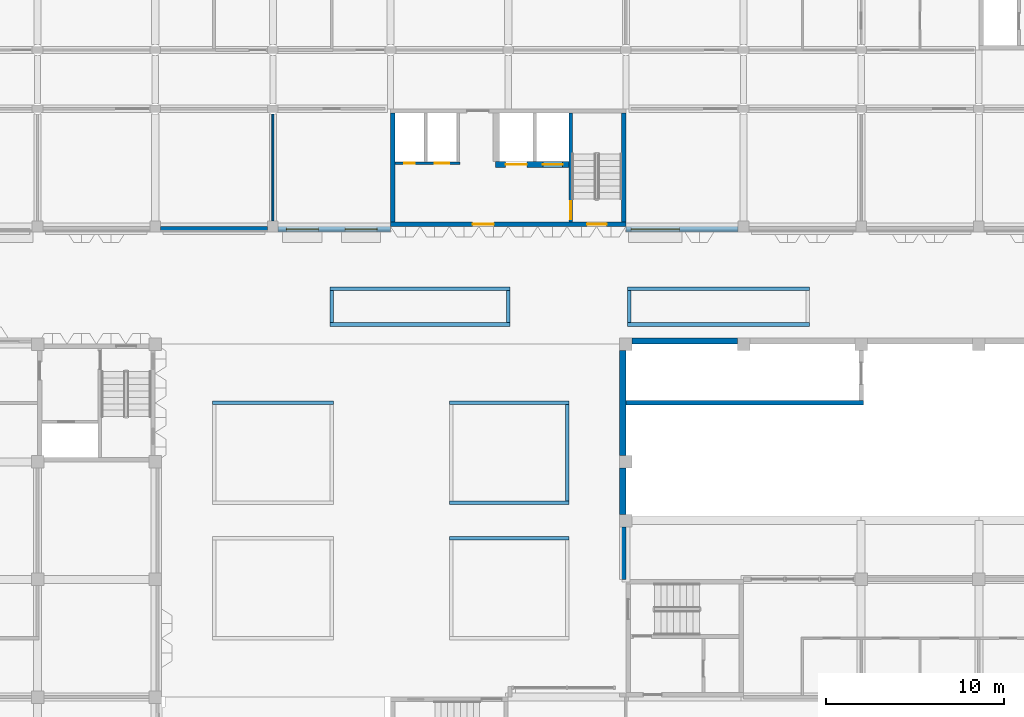
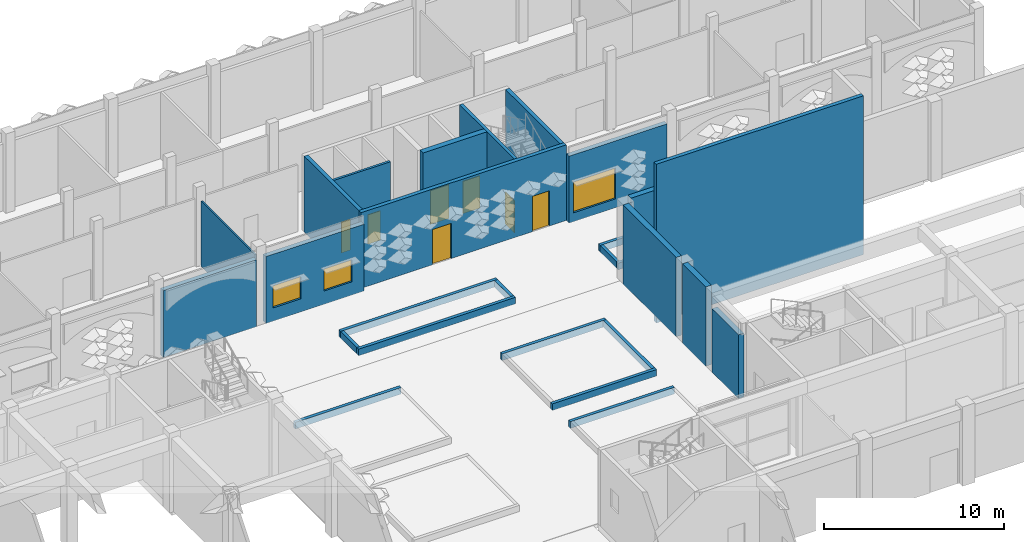
# One storey, part 37 of 85: 27 walls, 7 doors, 3 windows, 10 openings.
"""IFC4 building model written with IfcOpenShell, lengths in metres."""

import ifcopenshell
import ifcopenshell.guid

model = None  # the IFC model being written
_history = None  # IfcOwnerHistory: only IFC2X3 demands one
_inside = {}  # id of a spatial element -> (the spatial element, [elements in it])
_under = {}  # id of a project, library or spatial element -> (it, [spatial elements below it])
_declared = {}  # id of a project -> (the project, [libraries it declares])
_typed = {}  # id of a type object -> (the type object, [elements of that type])
_made_of = {}  # id of a material, layer set ... -> (it, [elements and type objects made of it])


def new_model(schema):
    """Start an empty IFC model of exactly this schema.

    Asked for "IFC4X3", IfcOpenShell would pick the latest addendum, in which some entities
    have other attributes; the version numbers below select the first issue.
    IFC2X3 requires an IfcOwnerHistory on every rooted entity: one is made here for all.
    """
    global model, _history
    if schema == "IFC4X3":
        model = ifcopenshell.file(schema_version=(4, 3, 0, 0))
    else:
        model = ifcopenshell.file(schema=schema)
    _inside.clear()
    _under.clear()
    _declared.clear()
    _typed.clear()
    _made_of.clear()
    _history = None
    if model.schema == "IFC2X3":
        org = make("IfcOrganization", Name="unknown")
        user = make(
            "IfcPersonAndOrganization",
            ThePerson=make("IfcPerson", FamilyName="unknown"),
            TheOrganization=org,
        )
        app = make(
            "IfcApplication",
            ApplicationDeveloper=org,
            Version="unknown",
            ApplicationFullName="unknown",
            ApplicationIdentifier="unknown",
        )
        _history = make(
            "IfcOwnerHistory",
            OwningUser=user,
            OwningApplication=app,
            ChangeAction="ADDED",
            CreationDate=0,
        )
    return model


def make(cls, **values):
    """One entity of the class cls with the attributes given. An attribute that is None is left unset."""
    return model.create_entity(
        cls, **{name: value for name, value in values.items() if value is not None}
    )


def rooted(cls, **values):
    """An entity with a GlobalId (a new one), such as an element, a storey or a relation."""
    return make(cls, GlobalId=ifcopenshell.guid.new(), OwnerHistory=_history, **values)


def si_unit(unit_type, name, prefix=None):
    """IfcSIUnit, for example si_unit("LENGTHUNIT", "METRE", prefix="MILLI")."""
    return make("IfcSIUnit", UnitType=unit_type, Prefix=prefix, Name=name)


def assignment(units):
    """IfcUnitAssignment: the units of a project."""
    return None if units is None else make("IfcUnitAssignment", Units=units)


def point(xyz):
    """IfcCartesianPoint."""
    return None if xyz is None else make("IfcCartesianPoint", Coordinates=xyz)


def direction(xyz):
    """IfcDirection."""
    return None if xyz is None else make("IfcDirection", DirectionRatios=xyz)


def frame(location, z_axis=None, x_axis=None):
    """IfcAxis2Placement3D, a coordinate frame: its origin and axes. An axis left out is left unset."""
    return make(
        "IfcAxis2Placement3D",
        Location=point(location),
        Axis=direction(z_axis),
        RefDirection=direction(x_axis),
    )


def frame_2d(location, x_axis=None):
    """IfcAxis2Placement2D, a coordinate frame in the plane: its origin and x axis."""
    return make(
        "IfcAxis2Placement2D", Location=point(location), RefDirection=direction(x_axis)
    )


def origin():
    """The frame at (0, 0, 0) with its axes left unset."""
    return frame((0.0, 0.0, 0.0))


def place(relative_to, where):
    """IfcLocalPlacement: puts the frame where relative to a parent placement (None: the world)."""
    return make(
        "IfcLocalPlacement", PlacementRelTo=relative_to, RelativePlacement=where
    )


def context(
    kind, dimensions, precision=None, world=None, true_north=None, identifier=None
):
    """IfcGeometricRepresentationContext, for example the 3D "Model" context."""
    return make(
        "IfcGeometricRepresentationContext",
        ContextIdentifier=identifier,
        ContextType=kind,
        CoordinateSpaceDimension=dimensions,
        Precision=precision,
        WorldCoordinateSystem=world,
        TrueNorth=true_north,
    )


def subcontext(parent, identifier, kind, view, scale=None):
    """IfcGeometricRepresentationSubContext, for example "Body" below "Model"."""
    return make(
        "IfcGeometricRepresentationSubContext",
        ContextIdentifier=identifier,
        ContextType=kind,
        ParentContext=parent,
        TargetScale=scale,
        TargetView=view,
    )


def project(units=None, contexts=None):
    """IfcProject with its units and contexts."""
    return rooted(
        "IfcProject",
        Name="project",
        RepresentationContexts=contexts,
        UnitsInContext=assignment(units),
    )


def spatial(cls, under=None, at=None, **own):
    """A site, building, storey or space (cls), placed at a placement, below another one or the project."""
    s = rooted(cls, ObjectPlacement=at, **own)
    if under is not None:
        _under.setdefault(under.id(), (under, []))[1].append(s)
    return s


def profile(cls, at=None, kind="AREA", **sizes):
    """A parametric profile (cls). Its sizes go by their IFC names, for example OverallWidth=200.0."""
    return make(cls, ProfileType=kind, Position=at, **sizes)


def rectangle(**sizes):
    """IfcRectangleProfileDef."""
    return profile("IfcRectangleProfileDef", **sizes)


def extrude(swept, where, along, depth):
    """IfcExtrudedAreaSolid: the profile swept, set in the frame where, extruded along a direction by depth."""
    return make(
        "IfcExtrudedAreaSolid",
        SweptArea=swept,
        Position=where,
        ExtrudedDirection=direction(along),
        Depth=depth,
    )


def shape(context_of_items, identifier, shape_type, items):
    """IfcShapeRepresentation: the items that make up one representation, for example the "Body"."""
    return make(
        "IfcShapeRepresentation",
        ContextOfItems=context_of_items,
        RepresentationIdentifier=identifier,
        RepresentationType=shape_type,
        Items=items,
    )


def material(Name=None, Category=None):
    """IfcMaterial."""
    return make("IfcMaterial", Name=Name, Category=Category)


def layer(
    of_material, thickness, ventilated=None, Name=None, Category=None, Priority=None
):
    """IfcMaterialLayer: one layer of a wall or slab, of a material (None: an air gap)."""
    return make(
        "IfcMaterialLayer",
        Material=of_material,
        LayerThickness=thickness,
        IsVentilated=ventilated,
        Name=Name,
        Category=Category,
        Priority=Priority,
    )


def layer_set(layers, Name=None):
    """IfcMaterialLayerSet."""
    return make("IfcMaterialLayerSet", MaterialLayers=layers, LayerSetName=Name)


def made_of(thing, what):
    """Note that an element or type object is made of a material, layer set ...; save() writes the relation."""
    if what is not None:
        _made_of.setdefault(what.id(), (what, []))[1].append(thing)
    return thing


def type_object(cls, material=None, **own):
    """A type object (cls), such as IfcWallType, which elements share."""
    return made_of(rooted(cls, **own), material)


def element(
    cls,
    number,
    at=None,
    inside=None,
    cuts=None,
    type_object=None,
    material=None,
    context=None,
    identifier="Body",
    shape_type=None,
    held_by="IfcProductDefinitionShape",
    body=None,
    shapes=None,
    **own,
):
    """One element of the class cls, such as IfcWall. Its Tag is "e" and its number.

    at: its placement. inside: the storey or other place that contains it. cuts: it is an
    opening in that element (IfcRelVoidsElement). A single representation is given by context,
    identifier, shape_type and body (its items); several are given by shapes. held_by: the class
    of the entity that holds the representations. save() writes the other relations.
    """
    e = rooted(cls, Tag="e%d" % number, ObjectPlacement=at, **own)
    if body is not None:
        shapes = [shape(context, identifier, shape_type, body)]
    if shapes is not None:
        e.Representation = make(held_by, Representations=shapes)
    if inside is not None:
        _inside.setdefault(inside.id(), (inside, []))[1].append(e)
    if cuts is not None:
        rooted(
            "IfcRelVoidsElement", RelatingBuildingElement=cuts, RelatedOpeningElement=e
        )
    if type_object is not None:
        _typed.setdefault(type_object.id(), (type_object, []))[1].append(e)
    return made_of(e, material)


def fill(opening, filler):
    """IfcRelFillsElement: the door or window that sits in an opening."""
    return rooted(
        "IfcRelFillsElement",
        RelatingOpeningElement=opening,
        RelatedBuildingElement=filler,
    )


def aggregate(whole, parts):
    """IfcRelAggregates: a whole, such as a stair, and the parts it consists of."""
    return rooted("IfcRelAggregates", RelatingObject=whole, RelatedObjects=parts)


def save(model, path):
    """Write the relations noted so far, then the file.

    IfcRelAggregates (storeys below a building ...), IfcRelContainedInSpatialStructure (elements
    in a storey), IfcRelDefinesByType, IfcRelAssociatesMaterial and IfcRelDeclares: one each for
    every whole, place, type object, material and project.
    """
    for whole, parts in _under.values():
        aggregate(whole, parts)
    for where, things in _inside.values():
        rooted(
            "IfcRelContainedInSpatialStructure",
            RelatedElements=things,
            RelatingStructure=where,
        )
    for kind, things in _typed.values():
        rooted("IfcRelDefinesByType", RelatedObjects=things, RelatingType=kind)
    for what, things in _made_of.values():
        rooted("IfcRelAssociatesMaterial", RelatedObjects=things, RelatingMaterial=what)
    for by, libraries in _declared.values():
        rooted("IfcRelDeclares", RelatingContext=by, RelatedDefinitions=libraries)
    model.write(path)


model = new_model("IFC4")

# Units and contexts
model_context = context("Model", 3, precision=1e-05, world=origin(), true_north=direction((0.0, 1.0)))
body_context = subcontext(model_context, "Body", "Model", "MODEL_VIEW")
ifc_project = project(units=[si_unit("LENGTHUNIT", "METRE"), si_unit("AREAUNIT", "SQUARE_METRE"), si_unit("VOLUMEUNIT", "CUBIC_METRE"), si_unit("PLANEANGLEUNIT", "RADIAN"), si_unit("MASSUNIT", "GRAM", prefix="KILO")], contexts=[model_context])

# Site, building, storey
site_placement = place(None, origin())
site = spatial("IfcSite", under=ifc_project, at=site_placement, CompositionType="ELEMENT")
building_placement = place(site_placement, origin())
building = spatial("IfcBuilding", under=site, at=building_placement, Name="Lantern Court Research Institute", CompositionType="ELEMENT")
storey_placement = place(building_placement, origin())
storey = spatial("IfcBuildingStorey", under=building, at=storey_placement, Name="L00", CompositionType="ELEMENT", Elevation=0.0)

# Walls
ifc_material_1 = material(Name="Acoustic double-leaf gypsum board")
ifc_layer_1 = layer(ifc_material_1, 0.25)
ifc_layer_set_1 = layer_set([ifc_layer_1], Name="Acoustic double-leaf gypsum board")
wall_type_1 = type_object("IfcWallType", Name="Acoustic wall 250 mm EI 60", PredefinedType="PARTITIONING", material=ifc_layer_set_1)
wall_1_placement = place(storey_placement, frame((52.800048828125, 72.60009765625, -0.89990234375), z_axis=(0.0, 0.0, 1.0), x_axis=(1.0, 0.0, 0.0)))
element("IfcWall", 1, at=wall_1_placement, inside=storey, type_object=wall_type_1, Name="Wall V1-L00-008", PredefinedType="PARTITIONING", context=body_context, shape_type="SweptSolid", body=[
    extrude(rectangle(XDim=13.324951171875, YDim=0.25, at=frame_2d((6.66259765625, 0.0))), origin(), (0.0, 0.0, 1.0), 10.7998046875),
])
ifc_material_2 = material(Name="Concrete C30/37", Category="concrete")
ifc_layer_2 = layer(ifc_material_2, 0.300048828125)
ifc_layer_set_2 = layer_set([ifc_layer_2], Name="Concrete C30/37")
wall_type_2 = type_object("IfcWallType", Name="Insulated concrete infill wall 300", PredefinedType="STANDARD", material=ifc_layer_set_2)
wall_2_placement = place(storey_placement, frame((32.699951171875, 82.35009765625, 0.0), z_axis=(0.0, 0.0, 1.0), x_axis=(-1.0, 0.0, 0.0)))
element("IfcWall", 2, at=wall_2_placement, inside=storey, type_object=wall_type_2, Name="Exterior wall EW065", PredefinedType="STANDARD", context=body_context, shape_type="SweptSolid", body=[
    extrude(rectangle(XDim=6.0, YDim=0.300048828125, at=frame_2d((3.0, 0.0))), origin(), (0.0, 0.0, 1.0), 4.550048828125),
])

# Wall, openings, windows
wall_3_placement = place(storey_placement, frame((39.60009765625, 82.35009765625, 0.0), z_axis=(0.0, 0.0, 1.0), x_axis=(-1.0, 0.0, 0.0)))
wall_3 = element("IfcWall", 3, at=wall_3_placement, inside=storey, type_object=wall_type_2, Name="Exterior wall EW066", PredefinedType="STANDARD", context=body_context, shape_type="SweptSolid", body=[
    extrude(rectangle(XDim=6.300048828125, YDim=0.300048828125, at=frame_2d((3.14990234375, 0.0))), origin(), (0.0, 0.0, 1.0), 4.550048828125),
])
opening_1_placement = place(wall_3_placement, frame((4.050048828125, 0.0, 0.89990234375)))
opening_1 = element("IfcOpeningElement", 4, at=opening_1_placement, cuts=wall_3, Name="Opening W14", PredefinedType="OPENING", context=body_context, shape_type="SweptSolid", body=[
    extrude(rectangle(XDim=1.800048828125, YDim=1.5, at=frame_2d((0.89990234375, 0.75))), frame((0.0, 0.159912109375, 0.0), z_axis=(0.0, -1.0, 0.0), x_axis=(1.0, 0.0, 0.0)), (0.0, 0.0, 1.0), 0.320068359375),
])
opening_2_placement = place(wall_3_placement, frame((0.75, 0.0, 0.89990234375)))
opening_2 = element("IfcOpeningElement", 5, at=opening_2_placement, cuts=wall_3, Name="Opening W14", PredefinedType="OPENING", context=body_context, shape_type="SweptSolid", body=[
    extrude(rectangle(XDim=1.800048828125, YDim=1.5, at=frame_2d((0.89990234375, 0.75))), frame((0.0, 0.159912109375, 0.0), z_axis=(0.0, -1.0, 0.0), x_axis=(1.0, 0.0, 0.0)), (0.0, 0.0, 1.0), 0.320068359375),
])
ifc_material_3 = material(Name="Aluminium frame with laminated low-emissivity glazing", Category="aluminium")
window_type_1 = type_object("IfcWindowType", Name="Office window 1800 x 1500", PartitioningType="SINGLE_PANEL", PredefinedType="WINDOW", material=ifc_material_3)
window_1_placement = place(opening_1_placement, origin())
window_1 = element("IfcWindow", 6, at=window_1_placement, inside=storey, type_object=window_type_1, Name="Window W14 V6S L00", OverallHeight=1.5, OverallWidth=1.800048828125, PartitioningType="SINGLE_PANEL", PredefinedType="WINDOW", context=body_context, shape_type="SweptSolid", body=[
    extrude(rectangle(XDim=1.800048828125, YDim=1.5, at=frame_2d((0.89990234375, 0.75))), frame((0.0, 0.030029296875, 0.0), z_axis=(0.0, -1.0, 0.0), x_axis=(1.0, 0.0, 0.0)), (0.0, 0.0, 1.0), 0.06005859375),
])
fill(opening_1, window_1)
window_2_placement = place(opening_2_placement, origin())
window_2 = element("IfcWindow", 7, at=window_2_placement, inside=storey, type_object=window_type_1, Name="Window W14 V6S L00", OverallHeight=1.5, OverallWidth=1.800048828125, PartitioningType="SINGLE_PANEL", PredefinedType="WINDOW", context=body_context, shape_type="SweptSolid", body=[
    extrude(rectangle(XDim=1.800048828125, YDim=1.5, at=frame_2d((0.89990234375, 0.75))), frame((0.0, 0.030029296875, 0.0), z_axis=(0.0, -1.0, 0.0), x_axis=(1.0, 0.0, 0.0)), (0.0, 0.0, 1.0), 0.06005859375),
])
fill(opening_2, window_2)

# Wall, opening, window
wall_4_placement = place(storey_placement, frame((59.10009765625, 82.35009765625, 0.0), z_axis=(0.0, 0.0, 1.0), x_axis=(-1.0, 0.0, 0.0)))
wall_4 = element("IfcWall", 8, at=wall_4_placement, inside=storey, type_object=wall_type_2, Name="Exterior wall EW067", PredefinedType="STANDARD", context=body_context, shape_type="SweptSolid", body=[
    extrude(rectangle(XDim=6.300048828125, YDim=0.300048828125, at=frame_2d((3.14990234375, 0.0))), origin(), (0.0, 0.0, 1.0), 4.550048828125),
])
opening_3_placement = place(wall_4_placement, frame((3.300048828125, 0.0, 0.60009765625)))
opening_3 = element("IfcOpeningElement", 9, at=opening_3_placement, cuts=wall_4, Name="Opening W15", PredefinedType="OPENING", context=body_context, shape_type="SweptSolid", body=[
    extrude(rectangle(XDim=2.699951171875, YDim=2.10009765625, at=frame_2d((1.35009765625, 1.050048828125))), frame((0.0, 0.159912109375, 0.0), z_axis=(0.0, -1.0, 0.0), x_axis=(1.0, 0.0, 0.0)), (0.0, 0.0, 1.0), 0.320068359375),
])
ifc_material_4 = material(Name="Aluminium frame with laminated low-emissivity glazing", Category="aluminium")
window_type_2 = type_object("IfcWindowType", Name="Reading room window 2700 x 2100", PartitioningType="SINGLE_PANEL", PredefinedType="WINDOW", material=ifc_material_4)
window_3_placement = place(opening_3_placement, origin())
window_3 = element("IfcWindow", 10, at=window_3_placement, inside=storey, type_object=window_type_2, Name="Window W15 V6S L00", OverallHeight=2.10009765625, OverallWidth=2.699951171875, PartitioningType="SINGLE_PANEL", PredefinedType="WINDOW", context=body_context, shape_type="SweptSolid", body=[
    extrude(rectangle(XDim=2.699951171875, YDim=2.10009765625, at=frame_2d((1.35009765625, 1.050048828125))), frame((0.0, 0.030029296875, 0.0), z_axis=(0.0, -1.0, 0.0), x_axis=(1.0, 0.0, 0.0)), (0.0, 0.0, 1.0), 0.06005859375),
])
fill(opening_3, window_3)

# Walls
ifc_material_5 = material(Name="Gypsum board on metal studs")
ifc_layer_3 = layer(ifc_material_5, 0.10009765625)
ifc_layer_set_3 = layer_set([ifc_layer_3], Name="Gypsum board on metal studs")
wall_type_3 = type_object("IfcWallType", Name="Partition 100 mm", PredefinedType="PARTITIONING", material=ifc_layer_set_3)
wall_5_placement = place(storey_placement, frame((33.0, 82.800048828125, 0.0), z_axis=(0.0, 0.0, 1.0), x_axis=(0.0, 1.0, 0.0)))
element("IfcWall", 11, at=wall_5_placement, inside=storey, type_object=wall_type_3, Name="Wall V6-L00-044", PredefinedType="PARTITIONING", context=body_context, shape_type="SweptSolid", body=[
    extrude(rectangle(XDim=6.0, YDim=0.10009765625, at=frame_2d((3.0, 0.0))), origin(), (0.0, 0.0, 1.0), 4.449951171875),
])
ifc_material_6 = material(Name="Rendered blockwork", Category="masonry")
ifc_layer_4 = layer(ifc_material_6, 0.199951171875)
ifc_layer_set_4 = layer_set([ifc_layer_4], Name="Rendered blockwork")
wall_type_4 = type_object("IfcWallType", Name="Planter wall 200 mm", PredefinedType="PARTITIONING", material=ifc_layer_set_4)
wall_6_placement = place(storey_placement, frame((29.60009765625, 72.60009765625, 0.0), z_axis=(0.0, 0.0, 1.0), x_axis=(1.0, 0.0, 0.0)))
element("IfcWall", 12, at=wall_6_placement, inside=storey, type_object=wall_type_4, Name="Planter wall garden walk 2.2", PredefinedType="PARTITIONING", context=body_context, shape_type="SweptSolid", body=[
    extrude(rectangle(XDim=6.7998046875, YDim=0.199951171875, at=frame_2d((3.39990234375, 0.0))), origin(), (0.0, 0.0, 1.0), 0.449951171875),
])
for number, where, z_axis, x_axis, name in (
    (13, (42.89990234375, 65.0, 0.0), (0.0, 0.0, 1.0), (1.0, 0.0, 0.0), "Planter wall garden walk 3.2"),
    (14, (42.89990234375, 67.0, 0.0), (0.0, 0.0, 1.0), (1.0, 0.0, 0.0), "Planter wall garden walk 4.1"),
    (15, (42.89990234375, 72.60009765625, 0.0), (0.0, 0.0, 1.0), (1.0, 0.0, 0.0), "Planter wall garden walk 4.2"),
):
    element("IfcWall", number, at=place(storey_placement, frame(where, z_axis=z_axis, x_axis=x_axis)), inside=storey, type_object=wall_type_4, Name=name, PredefinedType="PARTITIONING", context=body_context, shape_type="SweptSolid", body=[
        extrude(rectangle(XDim=6.7001953125, YDim=0.199951171875, at=frame_2d((3.35009765625, 0.0))), origin(), (0.0, 0.0, 1.0), 0.449951171875),
    ])
wall_7_placement = place(storey_placement, frame((49.5, 67.10009765625, 0.0), z_axis=(0.0, 0.0, 1.0), x_axis=(0.0, 1.0, 0.0)))
element("IfcWall", 16, at=wall_7_placement, inside=storey, type_object=wall_type_4, Name="Planter wall garden walk 4.4", PredefinedType="PARTITIONING", context=body_context, shape_type="SweptSolid", body=[
    extrude(rectangle(XDim=5.39990234375, YDim=0.199951171875, at=frame_2d((2.699951171875, 0.0))), origin(), (0.0, 0.0, 1.0), 0.449951171875),
])
for number, where, z_axis, x_axis, name in (
    (17, (36.199951171875, 77.0, 0.0), (0.0, 0.0, 1.0), (1.0, 0.0, 0.0), "Planter wall north passage 2.1"),
    (18, (36.199951171875, 79.0, 0.0), (0.0, 0.0, 1.0), (1.0, 0.0, 0.0), "Planter wall north passage 2.2"),
):
    element("IfcWall", number, at=place(storey_placement, frame(where, z_axis=z_axis, x_axis=x_axis)), inside=storey, type_object=wall_type_4, Name=name, PredefinedType="PARTITIONING", context=body_context, shape_type="SweptSolid", body=[
        extrude(rectangle(XDim=10.10009765625, YDim=0.199951171875, at=frame_2d((5.050048828125, 0.0))), origin(), (0.0, 0.0, 1.0), 0.449951171875),
    ])
for number, where, z_axis, x_axis, name in (
    (19, (36.300048828125, 77.10009765625, 0.0), (0.0, 0.0, 1.0), (0.0, 1.0, 0.0), "Planter wall north passage 2.3"),
    (20, (46.199951171875, 77.10009765625, 0.0), (0.0, 0.0, 1.0), (0.0, 1.0, 0.0), "Planter wall north passage 2.4"),
):
    element("IfcWall", number, at=place(storey_placement, frame(where, z_axis=z_axis, x_axis=x_axis)), inside=storey, type_object=wall_type_4, Name=name, PredefinedType="PARTITIONING", context=body_context, shape_type="SweptSolid", body=[
        extrude(rectangle(XDim=1.7998046875, YDim=0.199951171875, at=frame_2d((0.89990234375, 0.0))), origin(), (0.0, 0.0, 1.0), 0.449951171875),
    ])
for number, where, z_axis, x_axis, name in (
    (21, (52.89990234375, 77.0, 0.0), (0.0, 0.0, 1.0), (1.0, 0.0, 0.0), "Planter wall north passage 3.1"),
    (22, (52.89990234375, 79.0, 0.0), (0.0, 0.0, 1.0), (1.0, 0.0, 0.0), "Planter wall north passage 3.2"),
):
    element("IfcWall", number, at=place(storey_placement, frame(where, z_axis=z_axis, x_axis=x_axis)), inside=storey, type_object=wall_type_4, Name=name, PredefinedType="PARTITIONING", context=body_context, shape_type="SweptSolid", body=[
        extrude(rectangle(XDim=10.2001953125, YDim=0.199951171875, at=frame_2d((5.10009765625, 0.0))), origin(), (0.0, 0.0, 1.0), 0.449951171875),
    ])
wall_8_placement = place(storey_placement, frame((53.0, 77.10009765625, 0.0), z_axis=(0.0, 0.0, 1.0), x_axis=(0.0, 1.0, 0.0)))
element("IfcWall", 23, at=wall_8_placement, inside=storey, type_object=wall_type_4, Name="Planter wall north passage 3.3", PredefinedType="PARTITIONING", context=body_context, shape_type="SweptSolid", body=[
    extrude(rectangle(XDim=1.7998046875, YDim=0.199951171875, at=frame_2d((0.89990234375, 0.0))), origin(), (0.0, 0.0, 1.0), 0.449951171875),
])
ifc_material_7 = material(Name="Concrete C40/50", Category="concrete")
ifc_layer_5 = layer(ifc_material_7, 0.25)
ifc_layer_set_5 = layer_set([ifc_layer_5], Name="Concrete C40/50")
wall_type_5 = type_object("IfcWallType", Name="RC core wall 250", PredefinedType="SHEAR", material=ifc_layer_set_5)
for number, where, z_axis, x_axis, name in (
    (24, (52.675048828125, 88.85009765625, 0.0), (0.0, 0.0, 1.0), (0.0, -1.0, 0.0), "East wall of core WC-M"),
    (25, (39.72509765625, 88.85009765625, 0.0), (0.0, 0.0, 1.0), (0.0, -1.0, 0.0), "West wall of core WC-M"),
):
    element("IfcWall", number, at=place(storey_placement, frame(where, z_axis=z_axis, x_axis=x_axis)), inside=storey, type_object=wall_type_5, Name=name, PredefinedType="SHEAR", context=body_context, shape_type="SweptSolid", body=[
        extrude(rectangle(XDim=6.10009765625, YDim=0.25, at=frame_2d((3.050048828125, 0.0))), origin(), (0.0, 0.0, 1.0), 5.14990234375),
    ])

# Wall, openings, doors
ifc_material_8 = material(Name="Concrete C40/50", Category="concrete")
ifc_layer_6 = layer(ifc_material_8, 0.25)
ifc_layer_set_6 = layer_set([ifc_layer_6], Name="Concrete C40/50")
wall_type_6 = type_object("IfcWallType", Name="RC core wall 250 facade", PredefinedType="SHEAR", material=ifc_layer_set_6)
wall_9_placement = place(storey_placement, frame((52.800048828125, 82.625, 0.0), z_axis=(0.0, 0.0, 1.0), x_axis=(-1.0, 0.0, 0.0)))
wall_9 = element("IfcWall", 26, at=wall_9_placement, inside=storey, type_object=wall_type_6, Name="South wall of core WC-M", PredefinedType="SHEAR", context=body_context, shape_type="SweptSolid", body=[
    extrude(rectangle(XDim=13.199951171875, YDim=0.25, at=frame_2d((6.60009765625, 0.0))), origin(), (0.0, 0.0, 1.0), 5.14990234375),
])
opening_4_placement = place(wall_9_placement, frame((7.39990234375, 0.0, 0.0)))
opening_4 = element("IfcOpeningElement", 27, at=opening_4_placement, cuts=wall_9, Name="Opening D7225", PredefinedType="OPENING", context=body_context, shape_type="SweptSolid", body=[
    extrude(rectangle(XDim=1.199951171875, YDim=2.39990234375, at=frame_2d((0.60009765625, 1.199951171875))), frame((0.0, 0.135009765625, 0.0), z_axis=(0.0, -1.0, 0.0), x_axis=(1.0, 0.0, 0.0)), (0.0, 0.0, 1.0), 0.27001953125),
])
opening_5_placement = place(wall_9_placement, frame((1.074951171875, 0.0, 0.0)))
opening_5 = element("IfcOpeningElement", 28, at=opening_5_placement, cuts=wall_9, Name="Opening D7227", PredefinedType="OPENING", context=body_context, shape_type="SweptSolid", body=[
    extrude(rectangle(XDim=1.10009765625, YDim=2.39990234375, at=frame_2d((0.550048828125, 1.199951171875))), frame((0.0, 0.135009765625, 0.0), z_axis=(0.0, -1.0, 0.0), x_axis=(1.0, 0.0, 0.0)), (0.0, 0.0, 1.0), 0.27001953125),
])
ifc_material_9 = material(Name="Steel fire door leaf with smoke seals", Category="steel")
door_type_1 = type_object("IfcDoorType", Name="Door 1100 x 2400 fire rated FD60S", OperationType="NOTDEFINED", PredefinedType="DOOR", material=ifc_material_9)
door_1_placement = place(opening_5_placement, origin())
door_1 = element("IfcDoor", 29, at=door_1_placement, inside=storey, type_object=door_type_1, Name="Stair exit door", OperationType="SINGLE_SWING_RIGHT", OverallHeight=2.39990234375, OverallWidth=1.10009765625, PredefinedType="DOOR", context=body_context, shape_type="SweptSolid", body=[
    extrude(rectangle(XDim=1.10009765625, YDim=2.39990234375, at=frame_2d((0.550048828125, 1.199951171875))), frame((0.0, 0.02490234375, 0.0), z_axis=(0.0, -1.0, 0.0), x_axis=(1.0, 0.0, 0.0)), (0.0, 0.0, 1.0), 0.050048828125),
])
fill(opening_5, door_1)
ifc_material_10 = material(Name="Steel fire door leaf with smoke seals", Category="steel")
door_type_2 = type_object("IfcDoorType", Name="Door 1200 x 2400 fire rated FD60S", OperationType="NOTDEFINED", PredefinedType="DOOR", material=ifc_material_10)
door_2_placement = place(opening_4_placement, origin())
door_2 = element("IfcDoor", 30, at=door_2_placement, inside=storey, type_object=door_type_2, Name="Lobby exit door", OperationType="SINGLE_SWING_RIGHT", OverallHeight=2.39990234375, OverallWidth=1.199951171875, PredefinedType="DOOR", context=body_context, shape_type="SweptSolid", body=[
    extrude(rectangle(XDim=1.199951171875, YDim=2.39990234375, at=frame_2d((0.60009765625, 1.199951171875))), frame((0.0, 0.02490234375, 0.0), z_axis=(0.0, -1.0, 0.0), x_axis=(1.0, 0.0, 0.0)), (0.0, 0.0, 1.0), 0.050048828125),
])
fill(opening_4, door_2)

ifc_material_11 = material(Name="Concrete C40/50", Category="concrete")
ifc_layer_7 = layer(ifc_material_11, 0.14990234375)
ifc_layer_set_7 = layer_set([ifc_layer_7], Name="Concrete C40/50")
wall_type_7 = type_object("IfcWallType", Name="RC shaft wall 150", PredefinedType="SHEAR", material=ifc_layer_set_7)
wall_10_placement = place(storey_placement, frame((43.5, 86.050048828125, 0.0), z_axis=(0.0, 0.0, 1.0), x_axis=(-1.0, 0.0, 0.0)))
wall_10 = element("IfcWall", 31, at=wall_10_placement, inside=storey, type_object=wall_type_7, Name="Riser wall of core WC-M", PredefinedType="SHEAR", context=body_context, shape_type="SweptSolid", body=[
    extrude(rectangle(XDim=3.64990234375, YDim=0.14990234375, at=frame_2d((1.824951171875, 0.0))), origin(), (0.0, 0.0, 1.0), 5.14990234375),
])
opening_6_placement = place(wall_10_placement, frame((0.612548828125, 0.0, 0.0)))
opening_6 = element("IfcOpeningElement", 32, at=opening_6_placement, cuts=wall_10, Name="Opening D7223", PredefinedType="OPENING", context=body_context, shape_type="SweptSolid", body=[
    extrude(rectangle(XDim=0.800048828125, YDim=2.0, at=frame_2d((0.39990234375, 1.0))), frame((0.0, 0.0849609375, 0.0), z_axis=(0.0, -1.0, 0.0), x_axis=(1.0, 0.0, 0.0)), (0.0, 0.0, 1.0), 0.169921875),
])
opening_7_placement = place(wall_10_placement, frame((2.53759765625, 0.0, 0.0)))
opening_7 = element("IfcOpeningElement", 33, at=opening_7_placement, cuts=wall_10, Name="Opening D7224", PredefinedType="OPENING", context=body_context, shape_type="SweptSolid", body=[
    extrude(rectangle(XDim=0.60009765625, YDim=2.10009765625, at=frame_2d((0.300048828125, 1.050048828125))), frame((0.0, 0.0849609375, 0.0), z_axis=(0.0, -1.0, 0.0), x_axis=(1.0, 0.0, 0.0)), (0.0, 0.0, 1.0), 0.169921875),
])
ifc_material_12 = material(Name="Steel fire door leaf", Category="steel")
door_type_3 = type_object("IfcDoorType", Name="Door 600 x 2100 fire rated FD60", OperationType="NOTDEFINED", PredefinedType="DOOR", material=ifc_material_12)
door_3_placement = place(opening_7_placement, origin())
door_3 = element("IfcDoor", 34, at=door_3_placement, inside=storey, type_object=door_type_3, Name="Riser door", OperationType="SINGLE_SWING_RIGHT", OverallHeight=2.10009765625, OverallWidth=0.60009765625, PredefinedType="DOOR", context=body_context, shape_type="SweptSolid", body=[
    extrude(rectangle(XDim=0.60009765625, YDim=2.10009765625, at=frame_2d((0.300048828125, 1.050048828125))), frame((0.0, 0.02490234375, 0.0), z_axis=(0.0, -1.0, 0.0), x_axis=(1.0, 0.0, 0.0)), (0.0, 0.0, 1.0), 0.050048828125),
])
fill(opening_7, door_3)
ifc_material_13 = material(Name="Steel fire door leaf", Category="steel")
door_type_4 = type_object("IfcDoorType", Name="Door 800 x 2000 fire rated FD60", OperationType="NOTDEFINED", PredefinedType="DOOR", material=ifc_material_13)
door_4_placement = place(opening_6_placement, origin())
door_4 = element("IfcDoor", 35, at=door_4_placement, inside=storey, type_object=door_type_4, Name="Riser door", OperationType="SINGLE_SWING_RIGHT", OverallHeight=2.0, OverallWidth=0.800048828125, PredefinedType="DOOR", context=body_context, shape_type="SweptSolid", body=[
    extrude(rectangle(XDim=0.800048828125, YDim=2.0, at=frame_2d((0.39990234375, 1.0))), frame((0.0, 0.02490234375, 0.0), z_axis=(0.0, -1.0, 0.0), x_axis=(1.0, 0.0, 0.0)), (0.0, 0.0, 1.0), 0.050048828125),
])
fill(opening_6, door_4)

# Wall, opening, door
ifc_material_14 = material(Name="Concrete C40/50", Category="concrete")
ifc_layer_8 = layer(ifc_material_14, 0.199951171875)
ifc_layer_set_8 = layer_set([ifc_layer_8], Name="Concrete C40/50")
wall_type_8 = type_object("IfcWallType", Name="RC shaft wall 200", PredefinedType="SHEAR", material=ifc_layer_set_8)
wall_11_placement = place(storey_placement, frame((49.699951171875, 88.85009765625, 0.0), z_axis=(0.0, 0.0, 1.0), x_axis=(0.0, -1.0, 0.0)))
wall_11 = element("IfcWall", 36, at=wall_11_placement, inside=storey, type_object=wall_type_8, Name="Stair wall of core WC-M", PredefinedType="SHEAR", context=body_context, shape_type="SweptSolid", body=[
    extrude(rectangle(XDim=6.10009765625, YDim=0.199951171875, at=frame_2d((3.050048828125, 0.0))), origin(), (0.0, 0.0, 1.0), 5.14990234375),
])
opening_8_placement = place(wall_11_placement, frame((4.949951171875, 0.0, 0.0)))
opening_8 = element("IfcOpeningElement", 37, at=opening_8_placement, cuts=wall_11, Name="Opening D7226", PredefinedType="OPENING", context=body_context, shape_type="SweptSolid", body=[
    extrude(rectangle(XDim=1.0, YDim=2.199951171875, at=frame_2d((0.5, 1.10009765625))), frame((0.0, 0.10986328125, 0.0), z_axis=(0.0, -1.0, 0.0), x_axis=(1.0, 0.0, 0.0)), (0.0, 0.0, 1.0), 0.219970703125),
])
ifc_material_15 = material(Name="Steel fire door leaf with smoke seals", Category="steel")
door_type_5 = type_object("IfcDoorType", Name="Door 1000 x 2200 fire rated FD60S", OperationType="NOTDEFINED", PredefinedType="DOOR", material=ifc_material_15)
door_5_placement = place(opening_8_placement, origin())
door_5 = element("IfcDoor", 38, at=door_5_placement, inside=storey, type_object=door_type_5, Name="Stair door", OperationType="SINGLE_SWING_LEFT", OverallHeight=2.199951171875, OverallWidth=1.0, PredefinedType="DOOR", context=body_context, shape_type="SweptSolid", body=[
    extrude(rectangle(XDim=1.0, YDim=2.199951171875, at=frame_2d((0.5, 1.10009765625))), frame((0.0, 0.02490234375, 0.0), z_axis=(0.0, -1.0, 0.0), x_axis=(1.0, 0.0, 0.0)), (0.0, 0.0, 1.0), 0.050048828125),
])
fill(opening_8, door_5)

# Wall, openings, doors
ifc_material_16 = material(Name="Concrete C40/50", Category="concrete")
ifc_layer_9 = layer(ifc_material_16, 0.35009765625)
ifc_layer_set_9 = layer_set([ifc_layer_9], Name="Concrete C40/50")
wall_type_9 = type_object("IfcWallType", Name="RC shaft wall 350", PredefinedType="SHEAR", material=ifc_layer_set_9)
wall_12_placement = place(storey_placement, frame((49.60009765625, 85.97509765625, 0.0), z_axis=(0.0, 0.0, 1.0), x_axis=(-1.0, 0.0, 0.0)))
wall_12 = element("IfcWall", 39, at=wall_12_placement, inside=storey, type_object=wall_type_9, Name="Lift shaft wall of core WC-M", PredefinedType="SHEAR", context=body_context, shape_type="SweptSolid", body=[
    extrude(rectangle(XDim=4.10009765625, YDim=0.35009765625, at=frame_2d((2.050048828125, 0.0))), origin(), (0.0, 0.0, 1.0), 5.14990234375),
])
opening_9_placement = place(wall_12_placement, frame((0.35009765625, 0.0, 0.0)))
opening_9 = element("IfcOpeningElement", 40, at=opening_9_placement, cuts=wall_12, Name="Opening D7228", PredefinedType="OPENING", context=body_context, shape_type="SweptSolid", body=[
    extrude(rectangle(XDim=1.10009765625, YDim=2.199951171875, at=frame_2d((0.550048828125, 1.10009765625))), frame((0.0, 0.18505859375, 0.0), z_axis=(0.0, -1.0, 0.0), x_axis=(1.0, 0.0, 0.0)), (0.0, 0.0, 1.0), 0.3701171875),
])
opening_10_placement = place(wall_12_placement, frame((2.35009765625, 0.0, 0.0)))
opening_10 = element("IfcOpeningElement", 41, at=opening_10_placement, cuts=wall_12, Name="Opening D7229", PredefinedType="OPENING", context=body_context, shape_type="SweptSolid", body=[
    extrude(rectangle(XDim=1.199951171875, YDim=2.300048828125, at=frame_2d((0.60009765625, 1.14990234375))), frame((0.0, 0.18505859375, 0.0), z_axis=(0.0, -1.0, 0.0), x_axis=(1.0, 0.0, 0.0)), (0.0, 0.0, 1.0), 0.3701171875),
])
ifc_material_17 = material(Name="Stainless steel landing door panels", Category="steel")
door_type_6 = type_object("IfcDoorType", Name="Lift landing door 1100 x 2200 sliding FD60", OperationType="DOUBLE_DOOR_SLIDING", PredefinedType="NOTDEFINED", material=ifc_material_17)
door_6_placement = place(opening_9_placement, origin())
door_6 = element("IfcDoor", 42, at=door_6_placement, inside=storey, type_object=door_type_6, Name="Landing door", OperationType="DOUBLE_DOOR_SLIDING", OverallHeight=2.199951171875, OverallWidth=1.10009765625, PredefinedType="NOTDEFINED", context=body_context, shape_type="SweptSolid", body=[
    extrude(rectangle(XDim=1.10009765625, YDim=2.199951171875, at=frame_2d((0.550048828125, 1.10009765625))), frame((0.0, 0.02490234375, 0.0), z_axis=(0.0, -1.0, 0.0), x_axis=(1.0, 0.0, 0.0)), (0.0, 0.0, 1.0), 0.050048828125),
])
fill(opening_9, door_6)
ifc_material_18 = material(Name="Stainless steel landing door panels", Category="steel")
door_type_7 = type_object("IfcDoorType", Name="Lift landing door 1200 x 2300 sliding FD60", OperationType="DOUBLE_DOOR_SLIDING", PredefinedType="NOTDEFINED", material=ifc_material_18)
door_7_placement = place(opening_10_placement, origin())
door_7 = element("IfcDoor", 43, at=door_7_placement, inside=storey, type_object=door_type_7, Name="Landing door", OperationType="DOUBLE_DOOR_SLIDING", OverallHeight=2.300048828125, OverallWidth=1.199951171875, PredefinedType="NOTDEFINED", context=body_context, shape_type="SweptSolid", body=[
    extrude(rectangle(XDim=1.199951171875, YDim=2.300048828125, at=frame_2d((0.60009765625, 1.14990234375))), frame((0.0, 0.02490234375, 0.0), z_axis=(0.0, -1.0, 0.0), x_axis=(1.0, 0.0, 0.0)), (0.0, 0.0, 1.0), 0.050048828125),
])
fill(opening_10, door_7)

# Walls
ifc_material_19 = material(Name="Glued laminated timber GL28h", Category="wood")
ifc_layer_10 = layer(ifc_material_19, 0.35009765625)
ifc_layer_set_10 = layer_set([ifc_layer_10], Name="Glued laminated timber GL28h")
wall_type_10 = type_object("IfcWallType", Name="Timber-clad drum wall 350", PredefinedType="STANDARD", material=ifc_layer_set_10)
wall_13_placement = place(storey_placement, frame((53.14990234375, 76.074951171875, 0.0), z_axis=(0.0, 0.0, 1.0), x_axis=(1.0, 0.0, 0.0)))
element("IfcWall", 44, at=wall_13_placement, inside=storey, type_object=wall_type_10, Name="Exterior wall EW004", PredefinedType="STANDARD", context=body_context, shape_type="SweptSolid", body=[
    extrude(rectangle(XDim=5.900146484375, YDim=0.35009765625, at=frame_2d((2.9501953125, 0.0))), origin(), (0.0, 0.0, 1.0), 5.39990234375),
])
wall_14_placement = place(storey_placement, frame((52.625, 62.699951171875, 0.0), z_axis=(0.0, 0.0, 1.0), x_axis=(0.0, 1.0, 0.0)))
element("IfcWall", 45, at=wall_14_placement, inside=storey, type_object=wall_type_10, Name="Exterior wall EW009", PredefinedType="STANDARD", context=body_context, shape_type="SweptSolid", body=[
    extrude(rectangle(XDim=2.949951171875, YDim=0.35009765625, at=frame_2d((1.47509765625, 0.0))), origin(), (0.0, 0.0, 1.0), 4.35009765625),
])
wall_15_placement = place(storey_placement, frame((52.625, 66.35009765625, 0.0), z_axis=(0.0, 0.0, 1.0), x_axis=(0.0, 1.0, 0.0)))
element("IfcWall", 46, at=wall_15_placement, inside=storey, type_object=wall_type_10, Name="Exterior wall EW010", PredefinedType="STANDARD", context=body_context, shape_type="SweptSolid", body=[
    extrude(rectangle(XDim=2.599853515625, YDim=0.35009765625, at=frame_2d((1.2998046875, 0.0))), origin(), (0.0, 0.0, 1.0), 5.39990234375),
])
wall_16_placement = place(storey_placement, frame((52.625, 69.64990234375, 0.0), z_axis=(0.0, 0.0, 1.0), x_axis=(0.0, 1.0, 0.0)))
element("IfcWall", 47, at=wall_16_placement, inside=storey, type_object=wall_type_10, Name="Exterior wall EW011", PredefinedType="STANDARD", context=body_context, shape_type="SweptSolid", body=[
    extrude(rectangle(XDim=5.900146484375, YDim=0.35009765625, at=frame_2d((2.9501953125, 0.0))), origin(), (0.0, 0.0, 1.0), 5.39990234375),
])

save(model, "model.ifc")
